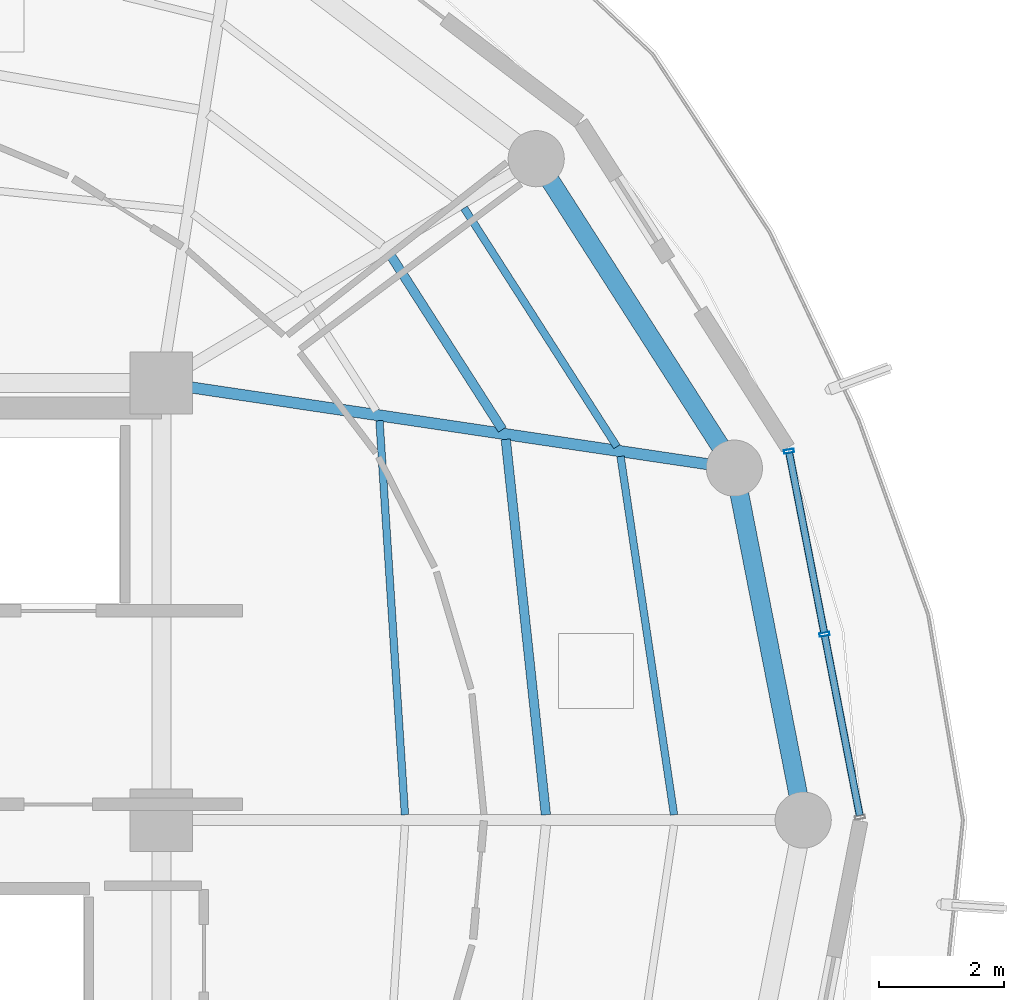
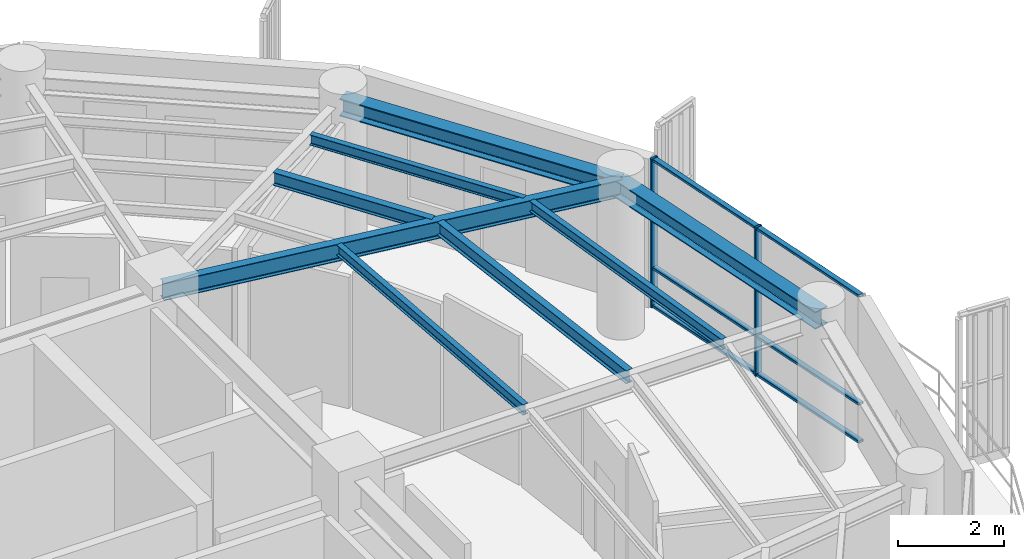
# One storey, part 11 of 23: 8 beams, 8 members, 1 element without a shape of its own.
"""IFC4 building model written with IfcOpenShell, lengths in metres."""

from ifc_helpers import new_model, si_unit, direction, frame, origin, origin_2d, place, context, subcontext, project, spatial, hollow_rectangle, i_section, extrude, material, layer, layer_set, material_profile, profile_set, type_object, element, aggregate, save


model = new_model("IFC4")

# Units and contexts
model_context = context("Model", 3, precision=1e-05, world=origin(), true_north=direction((0.0, 1.0)))
body_context = subcontext(model_context, "Body", "Model", "MODEL_VIEW")
ifc_project = project(units=[si_unit("LENGTHUNIT", "METRE"), si_unit("AREAUNIT", "SQUARE_METRE"), si_unit("VOLUMEUNIT", "CUBIC_METRE"), si_unit("PLANEANGLEUNIT", "RADIAN"), si_unit("MASSUNIT", "GRAM", prefix="KILO")], contexts=[model_context])

# Site, building, storey
site_placement = place(None, origin())
site = spatial("IfcSite", under=ifc_project, at=site_placement, CompositionType="ELEMENT")
building_placement = place(site_placement, origin())
building = spatial("IfcBuilding", under=site, at=building_placement, Name="Kelanora Arch Commons", CompositionType="ELEMENT")
storey_placement = place(building_placement, frame((0.0, 0.0, 289.949951171875)))
storey = spatial("IfcBuildingStorey", under=building, at=storey_placement, Name="L74", CompositionType="ELEMENT", Elevation=289.949951171875)

# Beams
ifc_material_1 = material(Name="Steel S355", Category="steel")
ifc_material_profile_1 = material_profile(ifc_material_1, i_section(OverallWidth=0.14990234375, OverallDepth=0.300048828125, WebThickness=0.007080078125, FlangeThickness=0.0107421875, FilletRadius=0.014892578125, at=origin_2d()), Name="IPE300")
ifc_profile_set_1 = profile_set([ifc_material_profile_1], Name="Steel S355")
beam_type_1 = type_object("IfcBeamType", Name="BM-JST-01", PredefinedType="JOIST", material=ifc_profile_set_1)
beam_1_placement = place(storey_placement, frame((88.158935546875, 58.08447265625, 3.280029296875), z_axis=(-0.106380594087, 0.994325484538, 0.0), x_axis=(-0.994325484538, -0.106380594087, 0.0)))
element("IfcBeam", 1, at=beam_1_placement, inside=storey, type_object=beam_type_1, Name="Secondary Chord Joist BJB-00 L74", PredefinedType="JOIST", context=body_context, shape_type="SweptSolid", body=[
    extrude(i_section(OverallWidth=0.14990234375, OverallDepth=0.300048828125, WebThickness=0.007080078125, FlangeThickness=0.0107421875, FilletRadius=0.014892578125, at=origin_2d()), origin(), (0.0, 0.0, 1.0), 6.04736328125),
])
beam_2_placement = place(storey_placement, frame((87.460693359375, 64.25341796875, 3.280029296875), z_axis=(-0.539321586177, 0.842099891155, 0.0), x_axis=(-0.842099891155, -0.539321586177, 0.0)))
element("IfcBeam", 2, at=beam_2_placement, inside=storey, type_object=beam_type_1, Name="Secondary Chord Joist BJB-02 L74", PredefinedType="JOIST", context=body_context, shape_type="SweptSolid", body=[
    extrude(i_section(OverallWidth=0.14990234375, OverallDepth=0.300048828125, WebThickness=0.007080078125, FlangeThickness=0.0107421875, FilletRadius=0.014892578125, at=origin_2d()), origin(), (0.0, 0.0, 1.0), 3.361572265625),
])
ifc_material_profile_2 = material_profile(ifc_material_1, i_section(OverallWidth=0.1201171875, OverallDepth=0.239990234375, WebThickness=0.006103515625, FlangeThickness=0.009765625, FilletRadius=0.014892578125, at=origin_2d()), Name="IPE240")
ifc_profile_set_2 = profile_set([ifc_material_profile_2], Name="Steel S355")
beam_type_2 = type_object("IfcBeamType", Name="BM-JST-02", PredefinedType="JOIST", material=ifc_profile_set_2)
beam_3_placement = place(storey_placement, frame((85.90087890625, 58.084716796875, 3.31005859375), z_axis=(-0.064495107978, 0.99791802321, 0.0), x_axis=(-0.99791802321, -0.064495107978, 0.0)))
element("IfcBeam", 3, at=beam_3_placement, inside=storey, type_object=beam_type_2, Name="Secondary Chord Joist BJA-00 L74", PredefinedType="JOIST", context=body_context, shape_type="SweptSolid", body=[
    extrude(i_section(OverallWidth=0.1201171875, OverallDepth=0.239990234375, WebThickness=0.006103515625, FlangeThickness=0.009765625, FilletRadius=0.014892578125, at=origin_2d()), origin(), (0.0, 0.0, 1.0), 6.325439453125),
])
beam_4_placement = place(storey_placement, frame((90.21142578125, 58.083984375, 3.31005859375), z_axis=(-0.14762470282, 0.989043450571, 0.0), x_axis=(-0.989043450571, -0.14762470282, 0.0)))
element("IfcBeam", 4, at=beam_4_placement, inside=storey, type_object=beam_type_2, Name="Secondary Chord Joist BJC-00 L74", PredefinedType="JOIST", context=body_context, shape_type="SweptSolid", body=[
    extrude(i_section(OverallWidth=0.1201171875, OverallDepth=0.239990234375, WebThickness=0.006103515625, FlangeThickness=0.009765625, FilletRadius=0.014892578125, at=origin_2d()), origin(), (0.0, 0.0, 1.0), 5.804931640625),
])
beam_5_placement = place(storey_placement, frame((89.296142578125, 63.980712890625, 3.31005859375), z_axis=(-0.539288735289, 0.842120929552, 0.0), x_axis=(-0.842120929552, -0.539288735289, 0.0)))
element("IfcBeam", 5, at=beam_5_placement, inside=storey, type_object=beam_type_2, Name="Secondary Chord Joist BJC-02 L74", PredefinedType="JOIST", context=body_context, shape_type="SweptSolid", body=[
    extrude(i_section(OverallWidth=0.1201171875, OverallDepth=0.239990234375, WebThickness=0.006103515625, FlangeThickness=0.009765625, FilletRadius=0.014892578125, at=origin_2d()), origin(), (0.0, 0.0, 1.0), 4.538818359375),
])
ifc_material_profile_3 = material_profile(ifc_material_1, i_section(OverallWidth=0.179931640625, OverallDepth=0.39990234375, WebThickness=0.008544921875, FlangeThickness=0.013427734375, FilletRadius=0.02099609375, at=origin_2d()), Name="IPE400")
ifc_profile_set_3 = profile_set([ifc_material_profile_3], Name="Steel S355")
beam_type_3 = type_object("IfcBeamType", Name="BM-RAD-Z5", PredefinedType="BEAM", material=ifc_profile_set_3)
beam_6_placement = place(storey_placement, frame((82.0, 65.0, 3.22998046875), z_axis=(0.989142485564, -0.146959665395, 0.0), x_axis=(0.146959665395, 0.989142485564, 0.0)))
element("IfcBeam", 6, at=beam_6_placement, inside=storey, type_object=beam_type_3, Name="Radial Floor Girder BR-02 L74", PredefinedType="BEAM", context=body_context, shape_type="SweptSolid", body=[
    extrude(i_section(OverallWidth=0.179931640625, OverallDepth=0.39990234375, WebThickness=0.008544921875, FlangeThickness=0.013427734375, FilletRadius=0.02099609375, at=origin_2d()), origin(), (0.0, 0.0, 1.0), 9.2783203125),
])
ifc_material_profile_4 = material_profile(ifc_material_1, i_section(OverallWidth=0.300048828125, OverallDepth=0.39990234375, WebThickness=0.013427734375, FlangeThickness=0.02392578125, FilletRadius=0.027099609375, at=origin_2d()), Name="HEB400")
ifc_profile_set_4 = profile_set([ifc_material_profile_4], Name="Steel S355")
beam_type_4 = type_object("IfcBeamType", Name="BM-SPN-Z4", PredefinedType="SPANDREL", material=ifc_profile_set_4)
beam_7_placement = place(storey_placement, frame((92.280029296875, 58.0, 3.22998046875), z_axis=(-0.191969774604, 0.981400838413, 0.0), x_axis=(-0.981400838413, -0.191969774604, 0.0)))
element("IfcBeam", 7, at=beam_7_placement, inside=storey, type_object=beam_type_4, Name="Perimeter Spandrel Beam BS-00 L74", PredefinedType="SPANDREL", context=body_context, shape_type="SweptSolid", body=[
    extrude(i_section(OverallWidth=0.300048828125, OverallDepth=0.39990234375, WebThickness=0.013427734375, FlangeThickness=0.02392578125, FilletRadius=0.027099609375, at=origin_2d()), origin(), (0.0, 0.0, 1.0), 5.743408203125),
])
beam_8_placement = place(storey_placement, frame((91.177490234375, 63.636474609375, 3.22998046875), z_axis=(-0.539280851353, 0.842125978322, 0.0), x_axis=(-0.842125978322, -0.539280851353, 0.0)))
element("IfcBeam", 8, at=beam_8_placement, inside=storey, type_object=beam_type_4, Name="Perimeter Spandrel Beam BS-02 L74", PredefinedType="SPANDREL", context=body_context, shape_type="SweptSolid", body=[
    extrude(i_section(OverallWidth=0.300048828125, OverallDepth=0.39990234375, WebThickness=0.013427734375, FlangeThickness=0.02392578125, FilletRadius=0.027099609375, at=origin_2d()), origin(), (0.0, 0.0, 1.0), 5.8857421875),
])

# Curtain wall, members
ifc_material_2 = material(Name="Terracotta ceramic-fritted low-E glass and aluminium", Category="masonry")
ifc_layer = layer(ifc_material_2, 0.18994140625)
ifc_layer_set = layer_set([ifc_layer], Name="Terracotta ceramic-fritted low-E glass and aluminium")
curtain_wall_type = type_object("IfcCurtainWallType", Name="CW-SYS-03", PredefinedType="NOTDEFINED", material=ifc_layer_set)
curtain_wall_placement = place(storey_placement, origin())
curtain_wall = element("IfcCurtainWall", 9, at=curtain_wall_placement, inside=storey, type_object=curtain_wall_type, Name="Unitised Curtain Wall L74-B00", PredefinedType="NOTDEFINED")
ifc_material_3 = material(Name="Powder-coated aluminium terracotta", Category="masonry")
ifc_material_profile_5 = material_profile(ifc_material_3, hollow_rectangle(XDim=0.159912109375, YDim=0.06005859375, WallThickness=0.0048828125, InnerFilletRadius=0.0048828125, OuterFilletRadius=0.010009765625, at=origin_2d()), Name="CWM160x60")
ifc_profile_set_5 = profile_set([ifc_material_profile_5], Name="Powder-coated aluminium terracotta")
member_type_1 = type_object("IfcMemberType", Name="CWM-STD", PredefinedType="MULLION", material=ifc_profile_set_5)
member_1_placement = place(storey_placement, frame((92.62109375, 60.9755859375, 0.0), z_axis=(0.0, 0.0, 1.0), x_axis=(-0.981595542501, -0.190971701941, 0.0)))
member_1 = element("IfcMember", 10, at=member_1_placement, type_object=member_type_1, Name="CW-03 mullion 2", PredefinedType="MULLION", context=body_context, shape_type="SweptSolid", body=[
    extrude(hollow_rectangle(XDim=0.159912109375, YDim=0.06005859375, WallThickness=0.0048828125, InnerFilletRadius=0.0048828125, OuterFilletRadius=0.010009765625, at=origin_2d()), origin(), (0.0, 0.0, 1.0), 3.4150390625),
])
member_2_placement = place(storey_placement, frame((92.05078125, 63.906982421875, 0.0), z_axis=(0.0, 0.0, 1.0), x_axis=(-0.981595542501, -0.190971701941, 0.0)))
member_2 = element("IfcMember", 11, at=member_2_placement, type_object=member_type_1, Name="CW-03 mullion 3", PredefinedType="MULLION", context=body_context, shape_type="SweptSolid", body=[
    extrude(hollow_rectangle(XDim=0.159912109375, YDim=0.06005859375, WallThickness=0.0048828125, InnerFilletRadius=0.0048828125, OuterFilletRadius=0.010009765625, at=origin_2d()), origin(), (0.0, 0.0, 1.0), 3.4150390625),
])
ifc_material_profile_6 = material_profile(ifc_material_3, hollow_rectangle(XDim=0.1201171875, YDim=0.06005859375, WallThickness=0.0048828125, InnerFilletRadius=0.0048828125, OuterFilletRadius=0.010009765625, at=origin_2d()), Name="CWT120x60")
ifc_profile_set_6 = profile_set([ifc_material_profile_6], Name="Powder-coated aluminium terracotta")
member_type_2 = type_object("IfcMemberType", Name="CWT-STD", PredefinedType="USERDEFINED", material=ifc_profile_set_6)
member_3_placement = place(storey_placement, frame((93.185546875, 58.073486328125, 0.030029296875), z_axis=(-0.190963443354, 0.981597149192, 0.0), x_axis=(-0.981597149192, -0.190963443354, 0.0)))
member_3 = element("IfcMember", 12, at=member_3_placement, type_object=member_type_2, Name="CW-03 transom 1.1", ObjectType="TRANSOM", PredefinedType="USERDEFINED", context=body_context, shape_type="SweptSolid", body=[
    extrude(hollow_rectangle(XDim=0.1201171875, YDim=0.06005859375, WallThickness=0.0048828125, InnerFilletRadius=0.0048828125, OuterFilletRadius=0.010009765625, at=origin_2d()), origin(), (0.0, 0.0, 1.0), 2.926513671875),
])
member_4_placement = place(storey_placement, frame((93.185546875, 58.073486328125, 0.900146484375), z_axis=(-0.190963443354, 0.981597149192, 0.0), x_axis=(-0.981597149192, -0.190963443354, 0.0)))
member_4 = element("IfcMember", 13, at=member_4_placement, type_object=member_type_2, Name="CW-03 transom 1.2", ObjectType="TRANSOM", PredefinedType="USERDEFINED", context=body_context, shape_type="SweptSolid", body=[
    extrude(hollow_rectangle(XDim=0.1201171875, YDim=0.06005859375, WallThickness=0.0048828125, InnerFilletRadius=0.0048828125, OuterFilletRadius=0.010009765625, at=origin_2d()), origin(), (0.0, 0.0, 1.0), 2.926513671875),
])
member_5_placement = place(storey_placement, frame((93.185546875, 58.073486328125, 3.385009765625), z_axis=(-0.190963443354, 0.981597149192, 0.0), x_axis=(-0.981597149192, -0.190963443354, 0.0)))
member_5 = element("IfcMember", 14, at=member_5_placement, type_object=member_type_2, Name="CW-03 transom 1.3", ObjectType="TRANSOM", PredefinedType="USERDEFINED", context=body_context, shape_type="SweptSolid", body=[
    extrude(hollow_rectangle(XDim=0.1201171875, YDim=0.06005859375, WallThickness=0.0048828125, InnerFilletRadius=0.0048828125, OuterFilletRadius=0.010009765625, at=origin_2d()), origin(), (0.0, 0.0, 1.0), 2.926513671875),
])
member_6_placement = place(storey_placement, frame((92.615234375, 61.005126953125, 0.030029296875), z_axis=(-0.190963443354, 0.981597149192, 0.0), x_axis=(-0.981597149192, -0.190963443354, 0.0)))
member_6 = element("IfcMember", 15, at=member_6_placement, type_object=member_type_2, Name="CW-03 transom 2.1", ObjectType="TRANSOM", PredefinedType="USERDEFINED", context=body_context, shape_type="SweptSolid", body=[
    extrude(hollow_rectangle(XDim=0.1201171875, YDim=0.06005859375, WallThickness=0.0048828125, InnerFilletRadius=0.0048828125, OuterFilletRadius=0.010009765625, at=origin_2d()), origin(), (0.0, 0.0, 1.0), 2.926513671875),
])
member_7_placement = place(storey_placement, frame((92.615234375, 61.005126953125, 0.900146484375), z_axis=(-0.190963443354, 0.981597149192, 0.0), x_axis=(-0.981597149192, -0.190963443354, 0.0)))
member_7 = element("IfcMember", 16, at=member_7_placement, type_object=member_type_2, Name="CW-03 transom 2.2", ObjectType="TRANSOM", PredefinedType="USERDEFINED", context=body_context, shape_type="SweptSolid", body=[
    extrude(hollow_rectangle(XDim=0.1201171875, YDim=0.06005859375, WallThickness=0.0048828125, InnerFilletRadius=0.0048828125, OuterFilletRadius=0.010009765625, at=origin_2d()), origin(), (0.0, 0.0, 1.0), 2.926513671875),
])
member_8_placement = place(storey_placement, frame((92.615234375, 61.005126953125, 3.385009765625), z_axis=(-0.190963443354, 0.981597149192, 0.0), x_axis=(-0.981597149192, -0.190963443354, 0.0)))
member_8 = element("IfcMember", 17, at=member_8_placement, type_object=member_type_2, Name="CW-03 transom 2.3", ObjectType="TRANSOM", PredefinedType="USERDEFINED", context=body_context, shape_type="SweptSolid", body=[
    extrude(hollow_rectangle(XDim=0.1201171875, YDim=0.06005859375, WallThickness=0.0048828125, InnerFilletRadius=0.0048828125, OuterFilletRadius=0.010009765625, at=origin_2d()), origin(), (0.0, 0.0, 1.0), 2.926513671875),
])
aggregate(curtain_wall, [member_1, member_2, member_3, member_4, member_5, member_6, member_7, member_8])

save(model, "model.ifc")
